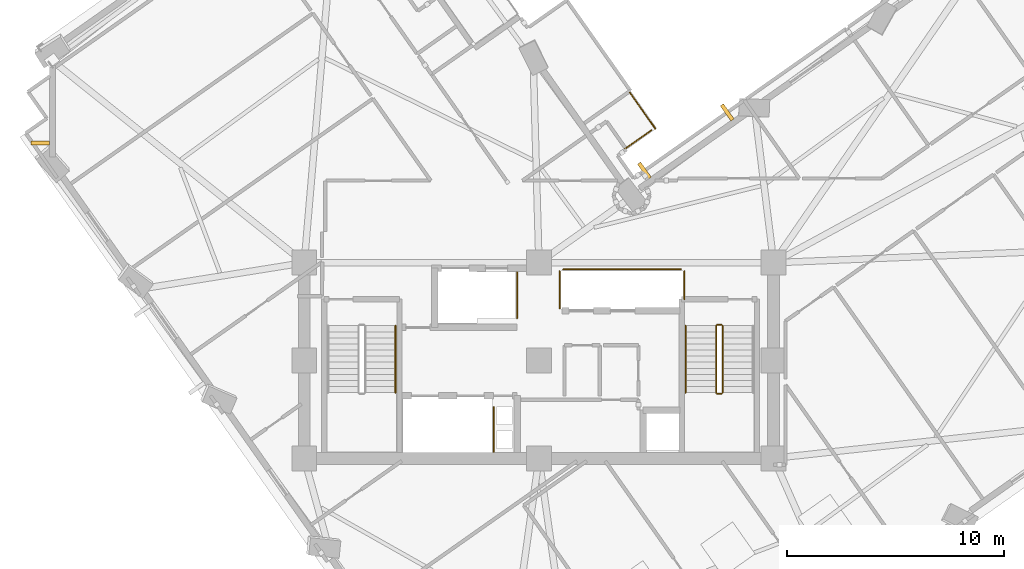
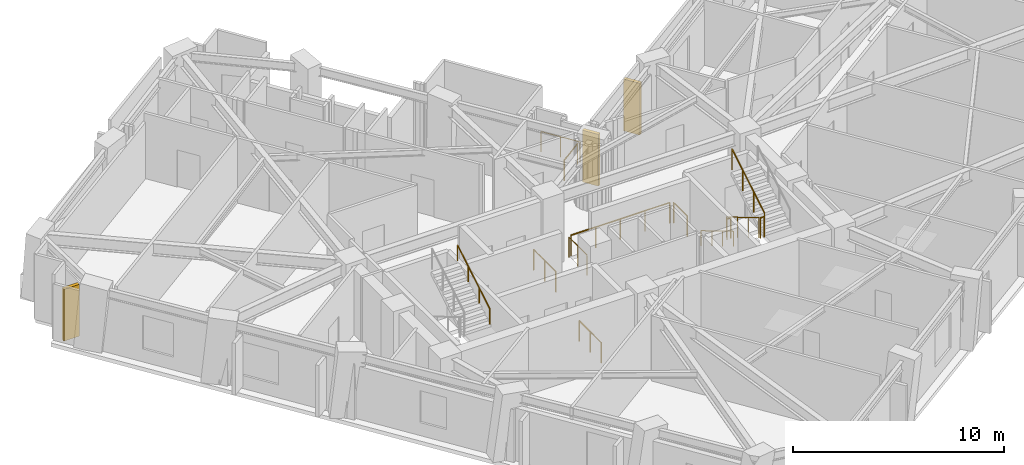
# One storey, part 10 of 13: 13 railings, 3 shading devices.
"""IFC4 building model written with IfcOpenShell, lengths in metres."""

import ifcopenshell
import ifcopenshell.guid

model = None  # the IFC model being written
_history = None  # IfcOwnerHistory: only IFC2X3 demands one
_inside = {}  # id of a spatial element -> (the spatial element, [elements in it])
_under = {}  # id of a project, library or spatial element -> (it, [spatial elements below it])
_declared = {}  # id of a project -> (the project, [libraries it declares])
_typed = {}  # id of a type object -> (the type object, [elements of that type])
_made_of = {}  # id of a material, layer set ... -> (it, [elements and type objects made of it])


def new_model(schema):
    """Start an empty IFC model of exactly this schema.

    Asked for "IFC4X3", IfcOpenShell would pick the latest addendum, in which some entities
    have other attributes; the version numbers below select the first issue.
    IFC2X3 requires an IfcOwnerHistory on every rooted entity: one is made here for all.
    """
    global model, _history
    if schema == "IFC4X3":
        model = ifcopenshell.file(schema_version=(4, 3, 0, 0))
    else:
        model = ifcopenshell.file(schema=schema)
    _inside.clear()
    _under.clear()
    _declared.clear()
    _typed.clear()
    _made_of.clear()
    _history = None
    if model.schema == "IFC2X3":
        org = make("IfcOrganization", Name="unknown")
        user = make(
            "IfcPersonAndOrganization",
            ThePerson=make("IfcPerson", FamilyName="unknown"),
            TheOrganization=org,
        )
        app = make(
            "IfcApplication",
            ApplicationDeveloper=org,
            Version="unknown",
            ApplicationFullName="unknown",
            ApplicationIdentifier="unknown",
        )
        _history = make(
            "IfcOwnerHistory",
            OwningUser=user,
            OwningApplication=app,
            ChangeAction="ADDED",
            CreationDate=0,
        )
    return model


def make(cls, **values):
    """One entity of the class cls with the attributes given. An attribute that is None is left unset."""
    return model.create_entity(
        cls, **{name: value for name, value in values.items() if value is not None}
    )


def rooted(cls, **values):
    """An entity with a GlobalId (a new one), such as an element, a storey or a relation."""
    return make(cls, GlobalId=ifcopenshell.guid.new(), OwnerHistory=_history, **values)


def si_unit(unit_type, name, prefix=None):
    """IfcSIUnit, for example si_unit("LENGTHUNIT", "METRE", prefix="MILLI")."""
    return make("IfcSIUnit", UnitType=unit_type, Prefix=prefix, Name=name)


def assignment(units):
    """IfcUnitAssignment: the units of a project."""
    return None if units is None else make("IfcUnitAssignment", Units=units)


def point(xyz):
    """IfcCartesianPoint."""
    return None if xyz is None else make("IfcCartesianPoint", Coordinates=xyz)


def direction(xyz):
    """IfcDirection."""
    return None if xyz is None else make("IfcDirection", DirectionRatios=xyz)


def frame(location, z_axis=None, x_axis=None):
    """IfcAxis2Placement3D, a coordinate frame: its origin and axes. An axis left out is left unset."""
    return make(
        "IfcAxis2Placement3D",
        Location=point(location),
        Axis=direction(z_axis),
        RefDirection=direction(x_axis),
    )


def frame_2d(location, x_axis=None):
    """IfcAxis2Placement2D, a coordinate frame in the plane: its origin and x axis."""
    return make(
        "IfcAxis2Placement2D", Location=point(location), RefDirection=direction(x_axis)
    )


def origin():
    """The frame at (0, 0, 0) with its axes left unset."""
    return frame((0.0, 0.0, 0.0))


def origin_2d():
    """The frame at (0, 0) in the plane with its x axis left unset."""
    return frame_2d((0.0, 0.0))


def place(relative_to, where):
    """IfcLocalPlacement: puts the frame where relative to a parent placement (None: the world)."""
    return make(
        "IfcLocalPlacement", PlacementRelTo=relative_to, RelativePlacement=where
    )


def context(
    kind, dimensions, precision=None, world=None, true_north=None, identifier=None
):
    """IfcGeometricRepresentationContext, for example the 3D "Model" context."""
    return make(
        "IfcGeometricRepresentationContext",
        ContextIdentifier=identifier,
        ContextType=kind,
        CoordinateSpaceDimension=dimensions,
        Precision=precision,
        WorldCoordinateSystem=world,
        TrueNorth=true_north,
    )


def subcontext(parent, identifier, kind, view, scale=None):
    """IfcGeometricRepresentationSubContext, for example "Body" below "Model"."""
    return make(
        "IfcGeometricRepresentationSubContext",
        ContextIdentifier=identifier,
        ContextType=kind,
        ParentContext=parent,
        TargetScale=scale,
        TargetView=view,
    )


def project(units=None, contexts=None):
    """IfcProject with its units and contexts."""
    return rooted(
        "IfcProject",
        Name="project",
        RepresentationContexts=contexts,
        UnitsInContext=assignment(units),
    )


def spatial(cls, under=None, at=None, **own):
    """A site, building, storey or space (cls), placed at a placement, below another one or the project."""
    s = rooted(cls, ObjectPlacement=at, **own)
    if under is not None:
        _under.setdefault(under.id(), (under, []))[1].append(s)
    return s


def profile(cls, at=None, kind="AREA", **sizes):
    """A parametric profile (cls). Its sizes go by their IFC names, for example OverallWidth=200.0."""
    return make(cls, ProfileType=kind, Position=at, **sizes)


def rectangle(**sizes):
    """IfcRectangleProfileDef."""
    return profile("IfcRectangleProfileDef", **sizes)


def circle(**sizes):
    """IfcCircleProfileDef."""
    return profile("IfcCircleProfileDef", **sizes)


def extrude(swept, where, along, depth):
    """IfcExtrudedAreaSolid: the profile swept, set in the frame where, extruded along a direction by depth."""
    return make(
        "IfcExtrudedAreaSolid",
        SweptArea=swept,
        Position=where,
        ExtrudedDirection=direction(along),
        Depth=depth,
    )


def shape(context_of_items, identifier, shape_type, items):
    """IfcShapeRepresentation: the items that make up one representation, for example the "Body"."""
    return make(
        "IfcShapeRepresentation",
        ContextOfItems=context_of_items,
        RepresentationIdentifier=identifier,
        RepresentationType=shape_type,
        Items=items,
    )


def material(Name=None, Category=None):
    """IfcMaterial."""
    return make("IfcMaterial", Name=Name, Category=Category)


def layer(
    of_material, thickness, ventilated=None, Name=None, Category=None, Priority=None
):
    """IfcMaterialLayer: one layer of a wall or slab, of a material (None: an air gap)."""
    return make(
        "IfcMaterialLayer",
        Material=of_material,
        LayerThickness=thickness,
        IsVentilated=ventilated,
        Name=Name,
        Category=Category,
        Priority=Priority,
    )


def layer_set(layers, Name=None):
    """IfcMaterialLayerSet."""
    return make("IfcMaterialLayerSet", MaterialLayers=layers, LayerSetName=Name)


def made_of(thing, what):
    """Note that an element or type object is made of a material, layer set ...; save() writes the relation."""
    if what is not None:
        _made_of.setdefault(what.id(), (what, []))[1].append(thing)
    return thing


def type_object(cls, material=None, **own):
    """A type object (cls), such as IfcWallType, which elements share."""
    return made_of(rooted(cls, **own), material)


def element(
    cls,
    number,
    at=None,
    inside=None,
    cuts=None,
    type_object=None,
    material=None,
    context=None,
    identifier="Body",
    shape_type=None,
    held_by="IfcProductDefinitionShape",
    body=None,
    shapes=None,
    **own,
):
    """One element of the class cls, such as IfcWall. Its Tag is "e" and its number.

    at: its placement. inside: the storey or other place that contains it. cuts: it is an
    opening in that element (IfcRelVoidsElement). A single representation is given by context,
    identifier, shape_type and body (its items); several are given by shapes. held_by: the class
    of the entity that holds the representations. save() writes the other relations.
    """
    e = rooted(cls, Tag="e%d" % number, ObjectPlacement=at, **own)
    if body is not None:
        shapes = [shape(context, identifier, shape_type, body)]
    if shapes is not None:
        e.Representation = make(held_by, Representations=shapes)
    if inside is not None:
        _inside.setdefault(inside.id(), (inside, []))[1].append(e)
    if cuts is not None:
        rooted(
            "IfcRelVoidsElement", RelatingBuildingElement=cuts, RelatedOpeningElement=e
        )
    if type_object is not None:
        _typed.setdefault(type_object.id(), (type_object, []))[1].append(e)
    return made_of(e, material)


def aggregate(whole, parts):
    """IfcRelAggregates: a whole, such as a stair, and the parts it consists of."""
    return rooted("IfcRelAggregates", RelatingObject=whole, RelatedObjects=parts)


def save(model, path):
    """Write the relations noted so far, then the file.

    IfcRelAggregates (storeys below a building ...), IfcRelContainedInSpatialStructure (elements
    in a storey), IfcRelDefinesByType, IfcRelAssociatesMaterial and IfcRelDeclares: one each for
    every whole, place, type object, material and project.
    """
    for whole, parts in _under.values():
        aggregate(whole, parts)
    for where, things in _inside.values():
        rooted(
            "IfcRelContainedInSpatialStructure",
            RelatedElements=things,
            RelatingStructure=where,
        )
    for kind, things in _typed.values():
        rooted("IfcRelDefinesByType", RelatedObjects=things, RelatingType=kind)
    for what, things in _made_of.values():
        rooted("IfcRelAssociatesMaterial", RelatedObjects=things, RelatingMaterial=what)
    for by, libraries in _declared.values():
        rooted("IfcRelDeclares", RelatingContext=by, RelatedDefinitions=libraries)
    model.write(path)


model = new_model("IFC4")

# Units and contexts
model_context = context("Model", 3, precision=1e-05, world=origin(), true_north=direction((0.0, 1.0)))
body_context = subcontext(model_context, "Body", "Model", "MODEL_VIEW")
ifc_project = project(units=[si_unit("LENGTHUNIT", "METRE"), si_unit("AREAUNIT", "SQUARE_METRE"), si_unit("VOLUMEUNIT", "CUBIC_METRE"), si_unit("PLANEANGLEUNIT", "RADIAN"), si_unit("MASSUNIT", "GRAM", prefix="KILO")], contexts=[model_context])

# Site, building, storey
site_placement = place(None, origin())
site = spatial("IfcSite", under=ifc_project, at=site_placement, CompositionType="ELEMENT")
building_placement = place(site_placement, origin())
building = spatial("IfcBuilding", under=site, at=building_placement, Name="Gaonmaruhae Medical Tower", CompositionType="ELEMENT")
storey_placement = place(building_placement, frame((0.0, 0.0, 173.800048828125)))
storey = spatial("IfcBuildingStorey", under=building, at=storey_placement, Name="L41", CompositionType="ELEMENT", Elevation=173.800048828125)

# Railings
ifc_material_1 = material(Name="Stainless steel 316L and laminated safety glass", Category="steel")
ifc_layer = layer(ifc_material_1, 0.080078125)
ifc_layer_set = layer_set([ifc_layer], Name="Stainless steel 316L and laminated safety glass")
railing_type_1 = type_object("IfcRailingType", Name="GD-120 Outdoor Terrace Safety Glass & Steel Balustrade", PredefinedType="BALUSTRADE", material=ifc_layer_set)
railing_1_placement = place(storey_placement, frame((28.984375, 24.63330078125, 0.0)))
element("IfcRailing", 1, at=railing_1_placement, inside=storey, type_object=railing_type_1, Name="L41 Perimeter Slab Edge Safety Balustrade 11", PredefinedType="BALUSTRADE", context=body_context, shape_type="SweptSolid", body=[
    extrude(circle(Radius=0.02392578125, at=origin_2d()), frame((0.0, 0.0, 1.17578125), z_axis=(0.575677199003, -0.817677052722, 0.0), x_axis=(0.817677052722, 0.575677199003, 0.0)), (0.0, 0.0, 1.0), 2.039794921875),
    extrude(circle(Radius=0.02099609375, at=origin_2d()), origin(), (0.0, 0.0, 1.0), 1.15185546875),
    extrude(circle(Radius=0.02099609375, at=origin_2d()), frame((0.587158203125, -0.833984375, 0.0)), (0.0, 0.0, 1.0), 1.15185546875),
    extrude(circle(Radius=0.02099609375, at=origin_2d()), frame((1.17431640625, -1.66796875, 0.0)), (0.0, 0.0, 1.0), 1.15185546875),
])
railing_2_placement = place(storey_placement, frame((29.975830078125, 22.897705078125, 0.0)))
element("IfcRailing", 2, at=railing_2_placement, inside=storey, type_object=railing_type_1, Name="L41 Perimeter Slab Edge Safety Balustrade 12", PredefinedType="BALUSTRADE", context=body_context, shape_type="SweptSolid", body=[
    extrude(circle(Radius=0.02392578125, at=origin_2d()), frame((0.0, 0.0, 1.17578125), z_axis=(-0.817637716715, -0.575733066799, 0.0), x_axis=(0.575733066799, -0.817637716715, 0.0)), (0.0, 0.0, 1.0), 1.513916015625),
    extrude(circle(Radius=0.02099609375, at=origin_2d()), origin(), (0.0, 0.0, 1.0), 1.15185546875),
    extrude(circle(Radius=0.02099609375, at=origin_2d()), frame((-1.23779296875, -0.87158203125, 0.0)), (0.0, 0.0, 1.0), 1.15185546875),
])
ifc_material_2 = material(Name="Stainless steel 304 handrail", Category="steel")
railing_type_2 = type_object("IfcRailingType", Name="HR-092 Continuous Stainless Steel Stair Handrail", PredefinedType="HANDRAIL", material=ifc_material_2)
railing_3_placement = place(storey_placement, frame((18.199951171875, 10.820068359375, 2.16650390625)))
element("IfcRailing", 3, at=railing_3_placement, inside=storey, type_object=railing_type_2, Name="L41 ST-01 stair handrail 2", PredefinedType="HANDRAIL", context=body_context, shape_type="SweptSolid", body=[
    extrude(circle(Radius=0.02392578125, at=origin_2d()), frame((0.0, 0.0, 0.8759765625), z_axis=(0.0, 0.859260807169, 0.511537745687), x_axis=(-1.0, 0.0, 0.0)), (0.0, 0.0, 1.0), 3.584228515625),
    extrude(circle(Radius=0.02099609375, at=origin_2d()), origin(), (0.0, 0.0, 1.0), 0.851806640625),
    extrude(circle(Radius=0.02099609375, at=origin_2d()), frame((0.0, 1.026611328125, 0.611083984375)), (0.0, 0.0, 1.0), 0.851806640625),
    extrude(circle(Radius=0.02099609375, at=origin_2d()), frame((0.0, 2.05322265625, 1.222412109375)), (0.0, 0.0, 1.0), 0.851806640625),
    extrude(circle(Radius=0.02099609375, at=origin_2d()), frame((0.0, 3.079833984375, 1.83349609375)), (0.0, 0.0, 1.0), 0.851806640625),
])
railing_4_placement = place(storey_placement, frame((31.550048828125, 13.89990234375, 0.16650390625)))
element("IfcRailing", 4, at=railing_4_placement, inside=storey, type_object=railing_type_2, Name="L41 ST-02 stair handrail 1", PredefinedType="HANDRAIL", context=body_context, shape_type="SweptSolid", body=[
    extrude(circle(Radius=0.02392578125, at=origin_2d()), frame((0.0, 0.0, 0.8759765625), z_axis=(0.0, -0.859260807169, 0.511537745687), x_axis=(1.0, 0.0, 0.0)), (0.0, 0.0, 1.0), 3.584228515625),
    extrude(circle(Radius=0.02099609375, at=origin_2d()), origin(), (0.0, 0.0, 1.0), 0.851806640625),
    extrude(circle(Radius=0.02099609375, at=origin_2d()), frame((0.0, -1.026611328125, 0.611083984375)), (0.0, 0.0, 1.0), 0.851806640625),
    extrude(circle(Radius=0.02099609375, at=origin_2d()), frame((0.0, -2.05322265625, 1.222412109375)), (0.0, 0.0, 1.0), 0.851806640625),
    extrude(circle(Radius=0.02099609375, at=origin_2d()), frame((0.0, -3.079833984375, 1.83349609375)), (0.0, 0.0, 1.0), 0.851806640625),
])

# Shading devices
ifc_material_3 = material(Name="Pigmented coral precast concrete C45/55", Category="concrete")
shading_device_type = type_object("IfcShadingDeviceType", Name="SD-FIN1 Tower Vertical Coral Precast Shading Fin", PredefinedType="USERDEFINED", material=ifc_material_3)
for number, where, z_axis, x_axis, name in (
    (5, (29.652099609375, 21.03564453125, 0.132568359375), (0.0, 0.0, 1.0), (0.817647619217, 0.575719003324, 0.0), "L41 Vertical Coral Precast Shading Fin EN03"),
    (6, (33.46240234375, 23.718505859375, 0.132568359375), (0.0, 0.0, 1.0), (0.817647619217, 0.575719003324, 0.0), "L41 Vertical Coral Precast Shading Fin EN03B"),
    (7, (1.860595703125, 22.312255859375, 0.132568359375), (0.0, 0.0, 1.0), (0.001186823613, 0.999999295725, 0.0), "L41 Vertical Coral Precast Shading Fin N03"),
):
    element("IfcShadingDevice", number, at=place(storey_placement, frame(where, z_axis=z_axis, x_axis=x_axis)), inside=storey, type_object=shading_device_type, Name=name, ObjectType="FIN", PredefinedType="USERDEFINED", context=body_context, shape_type="SweptSolid", body=[
        extrude(rectangle(XDim=0.179931640625, YDim=0.85009765625, at=origin_2d()), origin(), (0.0, 0.0, 1.0), 3.0),
    ])

# Railings
ifc_material_4 = material(Name="Stainless steel 304 balustrade", Category="steel")
railing_type_3 = type_object("IfcRailingType", Name="SG-112 Stair Well & Ramp Void Safety Balustrade", PredefinedType="BALUSTRADE", material=ifc_material_4)
railing_5_placement = place(storey_placement, frame((32.949951171875, 13.89990234375, 0.16650390625)))
element("IfcRailing", 8, at=railing_5_placement, inside=storey, type_object=railing_type_3, Name="L41 ST-02 stair guard 1", PredefinedType="BALUSTRADE", context=body_context, shape_type="SweptSolid", body=[
    extrude(circle(Radius=0.02392578125, at=origin_2d()), frame((0.0, 0.0, 1.17578125), z_axis=(0.0, -0.859260807169, 0.511537745687), x_axis=(1.0, 0.0, 0.0)), (0.0, 0.0, 1.0), 3.584228515625),
    extrude(circle(Radius=0.02099609375, at=origin_2d()), origin(), (0.0, 0.0, 1.0), 1.15185546875),
    extrude(circle(Radius=0.02099609375, at=origin_2d()), frame((0.0, -1.026611328125, 0.611083984375)), (0.0, 0.0, 1.0), 1.15185546875),
    extrude(circle(Radius=0.02099609375, at=origin_2d()), frame((0.0, -2.05322265625, 1.222412109375)), (0.0, 0.0, 1.0), 1.15185546875),
    extrude(circle(Radius=0.02099609375, at=origin_2d()), frame((0.0, -3.079833984375, 1.83349609375)), (0.0, 0.0, 1.0), 1.15185546875),
])
railing_6_placement = place(storey_placement, frame((33.0, 10.77001953125, 2.0)))
element("IfcRailing", 9, at=railing_6_placement, inside=storey, type_object=railing_type_3, Name="L41 ST-02 stair guard 2", PredefinedType="BALUSTRADE", context=body_context, shape_type="SweptSolid", body=[
    extrude(circle(Radius=0.02392578125, at=origin_2d()), frame((0.0, 0.0, 1.17578125), z_axis=(1.0, 0.0, 0.0), x_axis=(0.0, 1.0, 0.0)), (0.0, 0.0, 1.0), 0.199951171875),
    extrude(circle(Radius=0.02099609375, at=origin_2d()), origin(), (0.0, 0.0, 1.0), 1.15185546875),
    extrude(circle(Radius=0.02099609375, at=origin_2d()), frame((0.199951171875, 0.0, 0.0)), (0.0, 0.0, 1.0), 1.15185546875),
])
railing_7_placement = place(storey_placement, frame((33.25, 10.820068359375, 2.16650390625)))
element("IfcRailing", 10, at=railing_7_placement, inside=storey, type_object=railing_type_3, Name="L41 ST-02 stair guard 3", PredefinedType="BALUSTRADE", context=body_context, shape_type="SweptSolid", body=[
    extrude(circle(Radius=0.02392578125, at=origin_2d()), frame((0.0, 0.0, 1.17578125), z_axis=(0.0, 0.859260807169, 0.511537745687), x_axis=(-1.0, 0.0, 0.0)), (0.0, 0.0, 1.0), 3.584228515625),
    extrude(circle(Radius=0.02099609375, at=origin_2d()), origin(), (0.0, 0.0, 1.0), 1.15185546875),
    extrude(circle(Radius=0.02099609375, at=origin_2d()), frame((0.0, 1.026611328125, 0.611083984375)), (0.0, 0.0, 1.0), 1.15185546875),
    extrude(circle(Radius=0.02099609375, at=origin_2d()), frame((0.0, 2.05322265625, 1.222412109375)), (0.0, 0.0, 1.0), 1.15185546875),
    extrude(circle(Radius=0.02099609375, at=origin_2d()), frame((0.0, 3.079833984375, 1.83349609375)), (0.0, 0.0, 1.0), 1.15185546875),
])
railing_8_placement = place(storey_placement, frame((33.0, 13.949951171875, 0.0)))
element("IfcRailing", 11, at=railing_8_placement, inside=storey, type_object=railing_type_3, Name="L41 ST-02 stair guard 4", PredefinedType="BALUSTRADE", context=body_context, shape_type="SweptSolid", body=[
    extrude(circle(Radius=0.02392578125, at=origin_2d()), frame((0.0, 0.0, 1.17578125), z_axis=(1.0, 0.0, 0.0), x_axis=(0.0, 1.0, 0.0)), (0.0, 0.0, 1.0), 0.199951171875),
    extrude(circle(Radius=0.02099609375, at=origin_2d()), origin(), (0.0, 0.0, 1.0), 1.15185546875),
    extrude(circle(Radius=0.02099609375, at=origin_2d()), frame((0.199951171875, 0.0, 0.0)), (0.0, 0.0, 1.0), 1.15185546875),
])
railing_9_placement = place(storey_placement, frame((22.719970703125, 10.159912109375, 0.0)))
element("IfcRailing", 12, at=railing_9_placement, inside=storey, type_object=railing_type_3, Name="L41 Shaft Edge Safety Guard 16", PredefinedType="BALUSTRADE", context=body_context, shape_type="SweptSolid", body=[
    extrude(circle(Radius=0.02392578125, at=origin_2d()), frame((0.0, 0.0, 1.17578125), z_axis=(0.0, -1.0, 0.0), x_axis=(1.0, 0.0, 0.0)), (0.0, 0.0, 1.0), 2.06494140625),
    extrude(circle(Radius=0.02099609375, at=origin_2d()), origin(), (0.0, 0.0, 1.0), 1.15185546875),
    extrude(circle(Radius=0.02099609375, at=origin_2d()), frame((0.0, -1.032470703125, 0.0)), (0.0, 0.0, 1.0), 1.15185546875),
    extrude(circle(Radius=0.02099609375, at=origin_2d()), frame((0.0, -2.06494140625, 0.0)), (0.0, 0.0, 1.0), 1.15185546875),
])
railing_10_placement = place(storey_placement, frame((23.794921875, 16.35498046875, 0.0)))
element("IfcRailing", 13, at=railing_10_placement, inside=storey, type_object=railing_type_3, Name="L41 Shaft Edge Safety Guard 17", PredefinedType="BALUSTRADE", context=body_context, shape_type="SweptSolid", body=[
    extrude(circle(Radius=0.02392578125, at=origin_2d()), frame((0.0, 0.0, 1.17578125), z_axis=(0.0, -1.0, 0.0), x_axis=(1.0, 0.0, 0.0)), (0.0, 0.0, 1.0), 2.10986328125),
    extrude(circle(Radius=0.02099609375, at=origin_2d()), origin(), (0.0, 0.0, 1.0), 1.15185546875),
    extrude(circle(Radius=0.02099609375, at=origin_2d()), frame((0.0, -1.054931640625, 0.0)), (0.0, 0.0, 1.0), 1.15185546875),
    extrude(circle(Radius=0.02099609375, at=origin_2d()), frame((0.0, -2.10986328125, 0.0)), (0.0, 0.0, 1.0), 1.15185546875),
])
railing_11_placement = place(storey_placement, frame((31.4951171875, 16.405029296875, 0.0)))
element("IfcRailing", 14, at=railing_11_placement, inside=storey, type_object=railing_type_3, Name="L41 Shaft Edge Safety Guard 18", PredefinedType="BALUSTRADE", context=body_context, shape_type="SweptSolid", body=[
    extrude(circle(Radius=0.02392578125, at=origin_2d()), frame((0.0, 0.0, 1.17578125), z_axis=(0.0, -1.0, 0.0), x_axis=(1.0, 0.0, 0.0)), (0.0, 0.0, 1.0), 1.284912109375),
    extrude(circle(Radius=0.02099609375, at=origin_2d()), origin(), (0.0, 0.0, 1.0), 1.15185546875),
    extrude(circle(Radius=0.02099609375, at=origin_2d()), frame((0.0, -1.284912109375, 0.0)), (0.0, 0.0, 1.0), 1.15185546875),
])
railing_12_placement = place(storey_placement, frame((25.7548828125, 14.695068359375, 0.0)))
element("IfcRailing", 15, at=railing_12_placement, inside=storey, type_object=railing_type_3, Name="L41 Shaft Edge Safety Guard 19", PredefinedType="BALUSTRADE", context=body_context, shape_type="SweptSolid", body=[
    extrude(circle(Radius=0.02392578125, at=origin_2d()), frame((0.0, 0.0, 1.17578125), z_axis=(0.0, 1.0, 0.0), x_axis=(-1.0, 0.0, 0.0)), (0.0, 0.0, 1.0), 1.7099609375),
    extrude(circle(Radius=0.02099609375, at=origin_2d()), origin(), (0.0, 0.0, 1.0), 1.15185546875),
    extrude(circle(Radius=0.02099609375, at=origin_2d()), frame((0.0, 0.85498046875, 0.0)), (0.0, 0.0, 1.0), 1.15185546875),
    extrude(circle(Radius=0.02099609375, at=origin_2d()), frame((0.0, 1.7099609375, 0.0)), (0.0, 0.0, 1.0), 1.15185546875),
])
railing_13_placement = place(storey_placement, frame((25.919921875, 16.4951171875, 0.0)))
element("IfcRailing", 16, at=railing_13_placement, inside=storey, type_object=railing_type_3, Name="L41 Shaft Edge Safety Guard 20", PredefinedType="BALUSTRADE", context=body_context, shape_type="SweptSolid", body=[
    extrude(circle(Radius=0.02392578125, at=origin_2d()), frame((0.0, 0.0, 1.17578125), z_axis=(1.0, 0.0, 0.0), x_axis=(0.0, 1.0, 0.0)), (0.0, 0.0, 1.0), 5.41015625),
    extrude(circle(Radius=0.02099609375, at=origin_2d()), origin(), (0.0, 0.0, 1.0), 1.15185546875),
    extrude(circle(Radius=0.02099609375, at=origin_2d()), frame((1.3525390625, 0.0, 0.0)), (0.0, 0.0, 1.0), 1.15185546875),
    extrude(circle(Radius=0.02099609375, at=origin_2d()), frame((2.705078125, 0.0, 0.0)), (0.0, 0.0, 1.0), 1.15185546875),
    extrude(circle(Radius=0.02099609375, at=origin_2d()), frame((4.0576171875, 0.0, 0.0)), (0.0, 0.0, 1.0), 1.15185546875),
    extrude(circle(Radius=0.02099609375, at=origin_2d()), frame((5.41015625, 0.0, 0.0)), (0.0, 0.0, 1.0), 1.15185546875),
])

save(model, "model.ifc")
